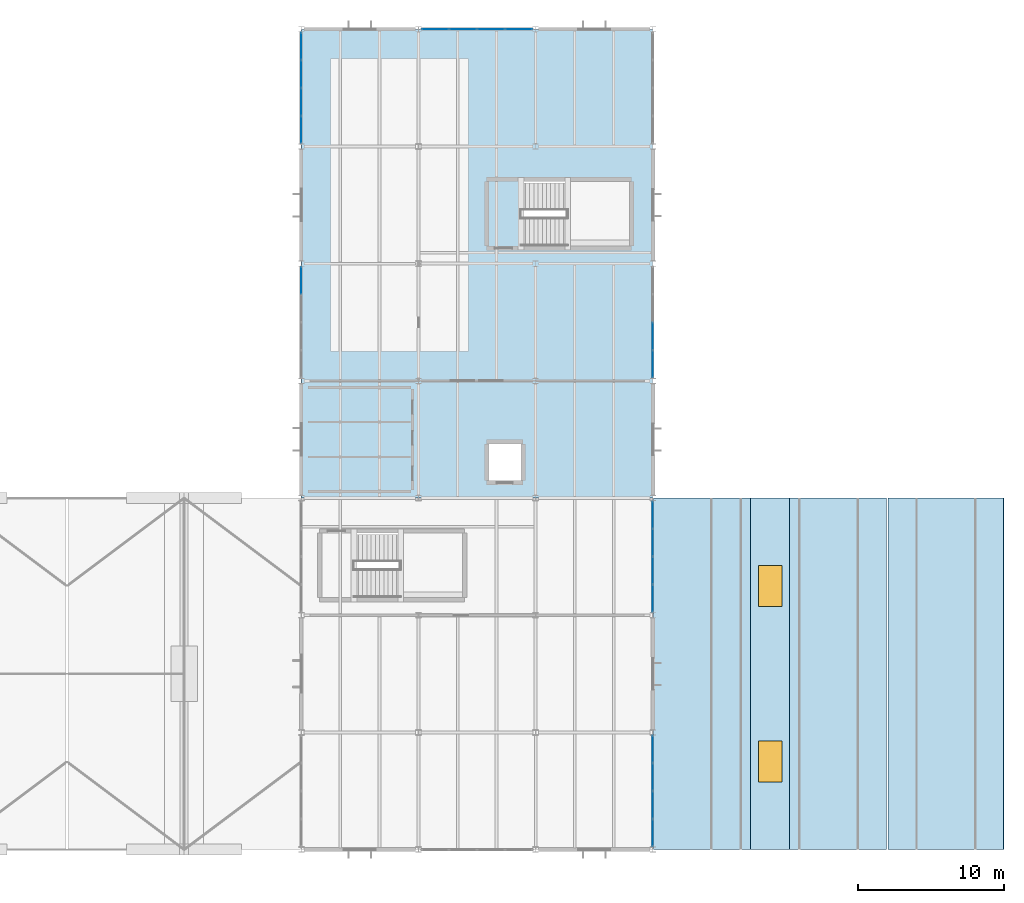
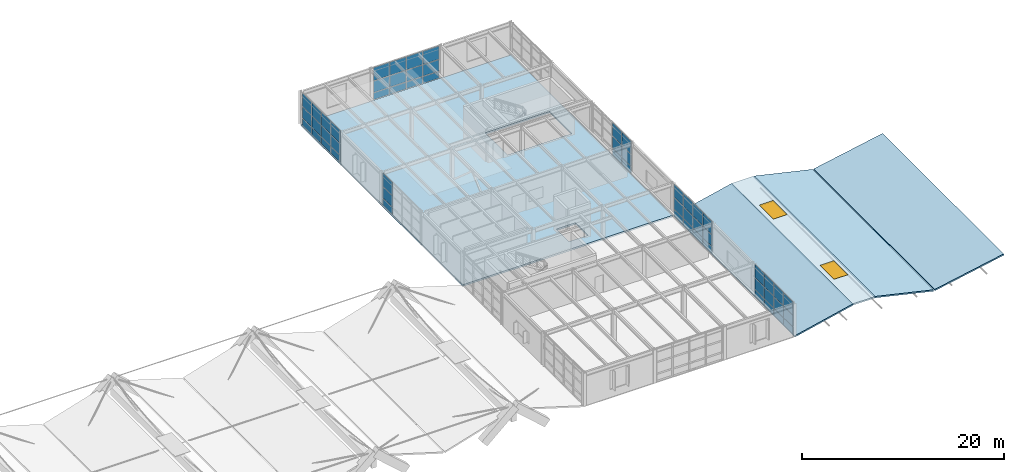
# One storey, part 35 of 50: 57 plates, 5 slabs, 2 windows, 2 openings, 6 elements without a shape of their own.
"""IFC4 building model written with IfcOpenShell, lengths in metres."""

import ifcopenshell
import ifcopenshell.guid

model = None  # the IFC model being written
_history = None  # IfcOwnerHistory: only IFC2X3 demands one
_inside = {}  # id of a spatial element -> (the spatial element, [elements in it])
_under = {}  # id of a project, library or spatial element -> (it, [spatial elements below it])
_declared = {}  # id of a project -> (the project, [libraries it declares])
_typed = {}  # id of a type object -> (the type object, [elements of that type])
_made_of = {}  # id of a material, layer set ... -> (it, [elements and type objects made of it])


def new_model(schema):
    """Start an empty IFC model of exactly this schema.

    Asked for "IFC4X3", IfcOpenShell would pick the latest addendum, in which some entities
    have other attributes; the version numbers below select the first issue.
    IFC2X3 requires an IfcOwnerHistory on every rooted entity: one is made here for all.
    """
    global model, _history
    if schema == "IFC4X3":
        model = ifcopenshell.file(schema_version=(4, 3, 0, 0))
    else:
        model = ifcopenshell.file(schema=schema)
    _inside.clear()
    _under.clear()
    _declared.clear()
    _typed.clear()
    _made_of.clear()
    _history = None
    if model.schema == "IFC2X3":
        org = make("IfcOrganization", Name="unknown")
        user = make(
            "IfcPersonAndOrganization",
            ThePerson=make("IfcPerson", FamilyName="unknown"),
            TheOrganization=org,
        )
        app = make(
            "IfcApplication",
            ApplicationDeveloper=org,
            Version="unknown",
            ApplicationFullName="unknown",
            ApplicationIdentifier="unknown",
        )
        _history = make(
            "IfcOwnerHistory",
            OwningUser=user,
            OwningApplication=app,
            ChangeAction="ADDED",
            CreationDate=0,
        )
    return model


def make(cls, **values):
    """One entity of the class cls with the attributes given. An attribute that is None is left unset."""
    return model.create_entity(
        cls, **{name: value for name, value in values.items() if value is not None}
    )


def rooted(cls, **values):
    """An entity with a GlobalId (a new one), such as an element, a storey or a relation."""
    return make(cls, GlobalId=ifcopenshell.guid.new(), OwnerHistory=_history, **values)


def si_unit(unit_type, name, prefix=None):
    """IfcSIUnit, for example si_unit("LENGTHUNIT", "METRE", prefix="MILLI")."""
    return make("IfcSIUnit", UnitType=unit_type, Prefix=prefix, Name=name)


def assignment(units):
    """IfcUnitAssignment: the units of a project."""
    return None if units is None else make("IfcUnitAssignment", Units=units)


def point(xyz):
    """IfcCartesianPoint."""
    return None if xyz is None else make("IfcCartesianPoint", Coordinates=xyz)


def direction(xyz):
    """IfcDirection."""
    return None if xyz is None else make("IfcDirection", DirectionRatios=xyz)


def frame(location, z_axis=None, x_axis=None):
    """IfcAxis2Placement3D, a coordinate frame: its origin and axes. An axis left out is left unset."""
    return make(
        "IfcAxis2Placement3D",
        Location=point(location),
        Axis=direction(z_axis),
        RefDirection=direction(x_axis),
    )


def frame_2d(location, x_axis=None):
    """IfcAxis2Placement2D, a coordinate frame in the plane: its origin and x axis."""
    return make(
        "IfcAxis2Placement2D", Location=point(location), RefDirection=direction(x_axis)
    )


def origin():
    """The frame at (0, 0, 0) with its axes left unset."""
    return frame((0.0, 0.0, 0.0))


def origin_2d():
    """The frame at (0, 0) in the plane with its x axis left unset."""
    return frame_2d((0.0, 0.0))


def place(relative_to, where):
    """IfcLocalPlacement: puts the frame where relative to a parent placement (None: the world)."""
    return make(
        "IfcLocalPlacement", PlacementRelTo=relative_to, RelativePlacement=where
    )


def context(
    kind, dimensions, precision=None, world=None, true_north=None, identifier=None
):
    """IfcGeometricRepresentationContext, for example the 3D "Model" context."""
    return make(
        "IfcGeometricRepresentationContext",
        ContextIdentifier=identifier,
        ContextType=kind,
        CoordinateSpaceDimension=dimensions,
        Precision=precision,
        WorldCoordinateSystem=world,
        TrueNorth=true_north,
    )


def subcontext(parent, identifier, kind, view, scale=None):
    """IfcGeometricRepresentationSubContext, for example "Body" below "Model"."""
    return make(
        "IfcGeometricRepresentationSubContext",
        ContextIdentifier=identifier,
        ContextType=kind,
        ParentContext=parent,
        TargetScale=scale,
        TargetView=view,
    )


def project(units=None, contexts=None):
    """IfcProject with its units and contexts."""
    return rooted(
        "IfcProject",
        Name="project",
        RepresentationContexts=contexts,
        UnitsInContext=assignment(units),
    )


def spatial(cls, under=None, at=None, **own):
    """A site, building, storey or space (cls), placed at a placement, below another one or the project."""
    s = rooted(cls, ObjectPlacement=at, **own)
    if under is not None:
        _under.setdefault(under.id(), (under, []))[1].append(s)
    return s


def polyline(points):
    """IfcPolyline through the points."""
    return make("IfcPolyline", Points=[point(p) for p in points])


def profile(cls, at=None, kind="AREA", **sizes):
    """A parametric profile (cls). Its sizes go by their IFC names, for example OverallWidth=200.0."""
    return make(cls, ProfileType=kind, Position=at, **sizes)


def rectangle(**sizes):
    """IfcRectangleProfileDef."""
    return profile("IfcRectangleProfileDef", **sizes)


def outline(outer, holes=None, kind="AREA"):
    """IfcArbitraryClosedProfileDef: a profile drawn as a closed curve; with holes, ...WithVoids."""
    if holes is None:
        return make("IfcArbitraryClosedProfileDef", ProfileType=kind, OuterCurve=outer)
    return make(
        "IfcArbitraryProfileDefWithVoids",
        ProfileType=kind,
        OuterCurve=outer,
        InnerCurves=holes,
    )


def extrude(swept, where, along, depth):
    """IfcExtrudedAreaSolid: the profile swept, set in the frame where, extruded along a direction by depth."""
    return make(
        "IfcExtrudedAreaSolid",
        SweptArea=swept,
        Position=where,
        ExtrudedDirection=direction(along),
        Depth=depth,
    )


def shape(context_of_items, identifier, shape_type, items):
    """IfcShapeRepresentation: the items that make up one representation, for example the "Body"."""
    return make(
        "IfcShapeRepresentation",
        ContextOfItems=context_of_items,
        RepresentationIdentifier=identifier,
        RepresentationType=shape_type,
        Items=items,
    )


def material(Name=None, Category=None):
    """IfcMaterial."""
    return make("IfcMaterial", Name=Name, Category=Category)


def layer(
    of_material, thickness, ventilated=None, Name=None, Category=None, Priority=None
):
    """IfcMaterialLayer: one layer of a wall or slab, of a material (None: an air gap)."""
    return make(
        "IfcMaterialLayer",
        Material=of_material,
        LayerThickness=thickness,
        IsVentilated=ventilated,
        Name=Name,
        Category=Category,
        Priority=Priority,
    )


def layer_set(layers, Name=None):
    """IfcMaterialLayerSet."""
    return make("IfcMaterialLayerSet", MaterialLayers=layers, LayerSetName=Name)


def made_of(thing, what):
    """Note that an element or type object is made of a material, layer set ...; save() writes the relation."""
    if what is not None:
        _made_of.setdefault(what.id(), (what, []))[1].append(thing)
    return thing


def type_object(cls, material=None, **own):
    """A type object (cls), such as IfcWallType, which elements share."""
    return made_of(rooted(cls, **own), material)


def element(
    cls,
    number,
    at=None,
    inside=None,
    cuts=None,
    type_object=None,
    material=None,
    context=None,
    identifier="Body",
    shape_type=None,
    held_by="IfcProductDefinitionShape",
    body=None,
    shapes=None,
    **own,
):
    """One element of the class cls, such as IfcWall. Its Tag is "e" and its number.

    at: its placement. inside: the storey or other place that contains it. cuts: it is an
    opening in that element (IfcRelVoidsElement). A single representation is given by context,
    identifier, shape_type and body (its items); several are given by shapes. held_by: the class
    of the entity that holds the representations. save() writes the other relations.
    """
    e = rooted(cls, Tag="e%d" % number, ObjectPlacement=at, **own)
    if body is not None:
        shapes = [shape(context, identifier, shape_type, body)]
    if shapes is not None:
        e.Representation = make(held_by, Representations=shapes)
    if inside is not None:
        _inside.setdefault(inside.id(), (inside, []))[1].append(e)
    if cuts is not None:
        rooted(
            "IfcRelVoidsElement", RelatingBuildingElement=cuts, RelatedOpeningElement=e
        )
    if type_object is not None:
        _typed.setdefault(type_object.id(), (type_object, []))[1].append(e)
    return made_of(e, material)


def fill(opening, filler):
    """IfcRelFillsElement: the door or window that sits in an opening."""
    return rooted(
        "IfcRelFillsElement",
        RelatingOpeningElement=opening,
        RelatedBuildingElement=filler,
    )


def aggregate(whole, parts):
    """IfcRelAggregates: a whole, such as a stair, and the parts it consists of."""
    return rooted("IfcRelAggregates", RelatingObject=whole, RelatedObjects=parts)


def save(model, path):
    """Write the relations noted so far, then the file.

    IfcRelAggregates (storeys below a building ...), IfcRelContainedInSpatialStructure (elements
    in a storey), IfcRelDefinesByType, IfcRelAssociatesMaterial and IfcRelDeclares: one each for
    every whole, place, type object, material and project.
    """
    for whole, parts in _under.values():
        aggregate(whole, parts)
    for where, things in _inside.values():
        rooted(
            "IfcRelContainedInSpatialStructure",
            RelatedElements=things,
            RelatingStructure=where,
        )
    for kind, things in _typed.values():
        rooted("IfcRelDefinesByType", RelatedObjects=things, RelatingType=kind)
    for what, things in _made_of.values():
        rooted("IfcRelAssociatesMaterial", RelatedObjects=things, RelatingMaterial=what)
    for by, libraries in _declared.values():
        rooted("IfcRelDeclares", RelatingContext=by, RelatedDefinitions=libraries)
    model.write(path)


model = new_model("IFC4")

# Units and contexts
model_context = context("Model", 3, precision=1e-05, world=origin(), true_north=direction((0.0, 1.0)))
body_context = subcontext(model_context, "Body", "Model", "MODEL_VIEW")
ifc_project = project(units=[si_unit("LENGTHUNIT", "METRE"), si_unit("AREAUNIT", "SQUARE_METRE"), si_unit("VOLUMEUNIT", "CUBIC_METRE"), si_unit("PLANEANGLEUNIT", "RADIAN"), si_unit("MASSUNIT", "GRAM", prefix="KILO")], contexts=[model_context])

# Site, building, storey
site_placement = place(None, origin())
site = spatial("IfcSite", under=ifc_project, at=site_placement, CompositionType="ELEMENT")
building_placement = place(site_placement, origin())
building = spatial("IfcBuilding", under=site, at=building_placement, Name="Varnela Railside Interchange", CompositionType="ELEMENT")
storey_placement = place(building_placement, frame((0.0, 0.0, 15.39990234375)))
storey = spatial("IfcBuildingStorey", under=building, at=storey_placement, Name="L03", CompositionType="ELEMENT", Elevation=15.39990234375)

# Slab
ifc_material_1 = material(Name="Concrete C40", Category="concrete")
ifc_layer_1 = layer(ifc_material_1, 0.199951171875)
ifc_layer_set_1 = layer_set([ifc_layer_1], Name="Concrete C40")
slab_type_1 = type_object("IfcSlabType", Name="Library & Canteen Composite Slab SL-200A", PredefinedType="FLOOR", material=ifc_layer_set_1)
slab_1_placement = place(storey_placement, frame((0.0, 0.0, -0.199951171875)))
element("IfcSlab", 1, at=slab_1_placement, inside=storey, type_object=slab_type_1, Name="Library & Canteen Composite Slab SL-200A (L03) (SL-0155)", PredefinedType="FLOOR", context=body_context, shape_type="SweptSolid", body=[
    extrude(outline(polyline([(116.0, 62.0), (140.0, 62.0), (140.0, 94.0), (116.0, 94.0), (116.0, 62.0)]), holes=[polyline([(131.030029296875, 79.199951171875), (138.39990234375, 79.199951171875), (138.39990234375, 83.60009765625), (131.030029296875, 83.60009765625), (131.030029296875, 79.199951171875)]), polyline([(128.800048828125, 63.199951171875), (131.0, 63.199951171875), (131.0, 65.699951171875), (128.800048828125, 65.699951171875), (128.800048828125, 63.199951171875)])]), origin(), (0.0, 0.0, 1.0), 0.199951171875),
])

# Curtain wall, plates
ifc_material_2 = material(Name="Aluminium 6063-T6", Category="aluminium")
ifc_layer_2 = layer(ifc_material_2, 0.035888671875)
ifc_layer_set_2 = layer_set([ifc_layer_2], Name="Aluminium 6063-T6")
curtain_wall_type = type_object("IfcCurtainWallType", Name="Study Pavilion Gallery Curtain Wall CW-02", PredefinedType="USERDEFINED", material=ifc_layer_set_2)
curtain_wall_1_placement = place(storey_placement, origin())
curtain_wall_1 = element("IfcCurtainWall", 2, at=curtain_wall_1_placement, inside=storey, type_object=curtain_wall_type, Name="Curtain Wall CW-02 (L03) (CW-091)", ObjectType="CURTAIN WALL", PredefinedType="USERDEFINED")
ifc_material_3 = material(Name="Glass laminated double", Category="glass")
ifc_layer_3 = layer(ifc_material_3, 0.02001953125)
ifc_layer_set_3 = layer_set([ifc_layer_3], Name="Glass laminated double")
plate_type = type_object("IfcPlateType", Name="Low-E Vision Glazing Panel GL-01", PredefinedType="CURTAIN_PANEL", material=ifc_layer_set_3)
plate_1_placement = place(storey_placement, frame((116.0, 76.846923828125, 0.06005859375), z_axis=(0.0, 0.0, 1.0), x_axis=(0.0, 1.0, 0.0)))
plate_1 = element("IfcPlate", 3, at=plate_1_placement, type_object=plate_type, Name="CW-02 panel 4.1", PredefinedType="CURTAIN_PANEL", context=body_context, shape_type="SweptSolid", body=[
    extrude(rectangle(XDim=1.818115234375, YDim=0.02001953125, at=origin_2d()), origin(), (0.0, 0.0, 1.0), 0.81005859375),
])
plate_2_placement = place(storey_placement, frame((116.0, 76.846923828125, 0.93017578125), z_axis=(0.0, 0.0, 1.0), x_axis=(0.0, 1.0, 0.0)))
plate_2 = element("IfcPlate", 4, at=plate_2_placement, type_object=plate_type, Name="CW-02 panel 4.2", PredefinedType="CURTAIN_PANEL", context=body_context, shape_type="SweptSolid", body=[
    extrude(rectangle(XDim=1.818115234375, YDim=0.02001953125, at=origin_2d()), origin(), (0.0, 0.0, 1.0), 1.360107421875),
])
plate_3_placement = place(storey_placement, frame((116.0, 76.846923828125, 2.35009765625), z_axis=(0.0, 0.0, 1.0), x_axis=(0.0, 1.0, 0.0)))
plate_3 = element("IfcPlate", 5, at=plate_3_placement, type_object=plate_type, Name="CW-02 panel 4.3", PredefinedType="CURTAIN_PANEL", context=body_context, shape_type="SweptSolid", body=[
    extrude(rectangle(XDim=1.818115234375, YDim=0.02001953125, at=origin_2d()), origin(), (0.0, 0.0, 1.0), 1.590087890625),
])
aggregate(curtain_wall_1, [plate_1, plate_2, plate_3])

curtain_wall_2_placement = place(storey_placement, origin())
curtain_wall_2 = element("IfcCurtainWall", 6, at=curtain_wall_2_placement, inside=storey, type_object=curtain_wall_type, Name="Curtain Wall CW-02 (L03) (CW-092)", ObjectType="CURTAIN WALL", PredefinedType="USERDEFINED")
plate_4_placement = place(storey_placement, frame((116.0, 87.153076171875, 0.06005859375), z_axis=(0.0, 0.0, 1.0), x_axis=(0.0, 1.0, 0.0)))
plate_4 = element("IfcPlate", 7, at=plate_4_placement, type_object=plate_type, Name="CW-02 panel 1.1", PredefinedType="CURTAIN_PANEL", context=body_context, shape_type="SweptSolid", body=[
    extrude(rectangle(XDim=1.818115234375, YDim=0.02001953125, at=origin_2d()), origin(), (0.0, 0.0, 1.0), 0.81005859375),
])
plate_5_placement = place(storey_placement, frame((116.0, 87.153076171875, 0.93017578125), z_axis=(0.0, 0.0, 1.0), x_axis=(0.0, 1.0, 0.0)))
plate_5 = element("IfcPlate", 8, at=plate_5_placement, type_object=plate_type, Name="CW-02 panel 1.2", PredefinedType="CURTAIN_PANEL", context=body_context, shape_type="SweptSolid", body=[
    extrude(rectangle(XDim=1.818115234375, YDim=0.02001953125, at=origin_2d()), origin(), (0.0, 0.0, 1.0), 1.360107421875),
])
plate_6_placement = place(storey_placement, frame((116.0, 87.153076171875, 2.35009765625), z_axis=(0.0, 0.0, 1.0), x_axis=(0.0, 1.0, 0.0)))
plate_6 = element("IfcPlate", 9, at=plate_6_placement, type_object=plate_type, Name="CW-02 panel 1.3", PredefinedType="CURTAIN_PANEL", context=body_context, shape_type="SweptSolid", body=[
    extrude(rectangle(XDim=1.818115234375, YDim=0.02001953125, at=origin_2d()), origin(), (0.0, 0.0, 1.0), 1.590087890625),
])
plate_7_placement = place(storey_placement, frame((116.0, 89.0458984375, 0.06005859375), z_axis=(0.0, 0.0, 1.0), x_axis=(0.0, 1.0, 0.0)))
plate_7 = element("IfcPlate", 10, at=plate_7_placement, type_object=plate_type, Name="CW-02 panel 2.1", PredefinedType="CURTAIN_PANEL", context=body_context, shape_type="SweptSolid", body=[
    extrude(rectangle(XDim=1.847900390625, YDim=0.02001953125, at=origin_2d()), origin(), (0.0, 0.0, 1.0), 0.81005859375),
])
plate_8_placement = place(storey_placement, frame((116.0, 89.0458984375, 0.93017578125), z_axis=(0.0, 0.0, 1.0), x_axis=(0.0, 1.0, 0.0)))
plate_8 = element("IfcPlate", 11, at=plate_8_placement, type_object=plate_type, Name="CW-02 panel 2.2", PredefinedType="CURTAIN_PANEL", context=body_context, shape_type="SweptSolid", body=[
    extrude(rectangle(XDim=1.847900390625, YDim=0.02001953125, at=origin_2d()), origin(), (0.0, 0.0, 1.0), 1.360107421875),
])
plate_9_placement = place(storey_placement, frame((116.0, 89.0458984375, 2.35009765625), z_axis=(0.0, 0.0, 1.0), x_axis=(0.0, 1.0, 0.0)))
plate_9 = element("IfcPlate", 12, at=plate_9_placement, type_object=plate_type, Name="CW-02 panel 2.3", PredefinedType="CURTAIN_PANEL", context=body_context, shape_type="SweptSolid", body=[
    extrude(rectangle(XDim=1.847900390625, YDim=0.02001953125, at=origin_2d()), origin(), (0.0, 0.0, 1.0), 1.590087890625),
])
plate_10_placement = place(storey_placement, frame((116.0, 90.9541015625, 0.06005859375), z_axis=(0.0, 0.0, 1.0), x_axis=(0.0, 1.0, 0.0)))
plate_10 = element("IfcPlate", 13, at=plate_10_placement, type_object=plate_type, Name="CW-02 panel 3.1", PredefinedType="CURTAIN_PANEL", context=body_context, shape_type="SweptSolid", body=[
    extrude(rectangle(XDim=1.847900390625, YDim=0.02001953125, at=origin_2d()), origin(), (0.0, 0.0, 1.0), 0.81005859375),
])
plate_11_placement = place(storey_placement, frame((116.0, 90.9541015625, 0.93017578125), z_axis=(0.0, 0.0, 1.0), x_axis=(0.0, 1.0, 0.0)))
plate_11 = element("IfcPlate", 14, at=plate_11_placement, type_object=plate_type, Name="CW-02 panel 3.2", PredefinedType="CURTAIN_PANEL", context=body_context, shape_type="SweptSolid", body=[
    extrude(rectangle(XDim=1.847900390625, YDim=0.02001953125, at=origin_2d()), origin(), (0.0, 0.0, 1.0), 1.360107421875),
])
plate_12_placement = place(storey_placement, frame((116.0, 90.9541015625, 2.35009765625), z_axis=(0.0, 0.0, 1.0), x_axis=(0.0, 1.0, 0.0)))
plate_12 = element("IfcPlate", 15, at=plate_12_placement, type_object=plate_type, Name="CW-02 panel 3.3", PredefinedType="CURTAIN_PANEL", context=body_context, shape_type="SweptSolid", body=[
    extrude(rectangle(XDim=1.847900390625, YDim=0.02001953125, at=origin_2d()), origin(), (0.0, 0.0, 1.0), 1.590087890625),
])
plate_13_placement = place(storey_placement, frame((116.0, 92.846923828125, 0.06005859375), z_axis=(0.0, 0.0, 1.0), x_axis=(0.0, 1.0, 0.0)))
plate_13 = element("IfcPlate", 16, at=plate_13_placement, type_object=plate_type, Name="CW-02 panel 4.1", PredefinedType="CURTAIN_PANEL", context=body_context, shape_type="SweptSolid", body=[
    extrude(rectangle(XDim=1.818115234375, YDim=0.02001953125, at=origin_2d()), origin(), (0.0, 0.0, 1.0), 0.81005859375),
])
plate_14_placement = place(storey_placement, frame((116.0, 92.846923828125, 0.93017578125), z_axis=(0.0, 0.0, 1.0), x_axis=(0.0, 1.0, 0.0)))
plate_14 = element("IfcPlate", 17, at=plate_14_placement, type_object=plate_type, Name="CW-02 panel 4.2", PredefinedType="CURTAIN_PANEL", context=body_context, shape_type="SweptSolid", body=[
    extrude(rectangle(XDim=1.818115234375, YDim=0.02001953125, at=origin_2d()), origin(), (0.0, 0.0, 1.0), 1.360107421875),
])
plate_15_placement = place(storey_placement, frame((116.0, 92.846923828125, 2.35009765625), z_axis=(0.0, 0.0, 1.0), x_axis=(0.0, 1.0, 0.0)))
plate_15 = element("IfcPlate", 18, at=plate_15_placement, type_object=plate_type, Name="CW-02 panel 4.3", PredefinedType="CURTAIN_PANEL", context=body_context, shape_type="SweptSolid", body=[
    extrude(rectangle(XDim=1.818115234375, YDim=0.02001953125, at=origin_2d()), origin(), (0.0, 0.0, 1.0), 1.590087890625),
])
aggregate(curtain_wall_2, [plate_4, plate_5, plate_6, plate_7, plate_8, plate_9, plate_10, plate_11, plate_12, plate_13, plate_14, plate_15])

curtain_wall_3_placement = place(storey_placement, origin())
curtain_wall_3 = element("IfcCurtainWall", 19, at=curtain_wall_3_placement, inside=storey, type_object=curtain_wall_type, Name="Curtain Wall CW-02 (L03) (CW-093)", ObjectType="CURTAIN WALL", PredefinedType="USERDEFINED")
plate_16_placement = place(storey_placement, frame((125.15478515625, 94.0, 0.06005859375), z_axis=(0.0, 0.0, 1.0), x_axis=(1.0, 0.0, 0.0)))
plate_16 = element("IfcPlate", 20, at=plate_16_placement, type_object=plate_type, Name="CW-02 panel 1.1", PredefinedType="CURTAIN_PANEL", context=body_context, shape_type="SweptSolid", body=[
    extrude(rectangle(XDim=1.816650390625, YDim=0.02001953125, at=origin_2d()), origin(), (0.0, 0.0, 1.0), 0.81005859375),
])
plate_17_placement = place(storey_placement, frame((125.15478515625, 94.0, 0.93017578125), z_axis=(0.0, 0.0, 1.0), x_axis=(1.0, 0.0, 0.0)))
plate_17 = element("IfcPlate", 21, at=plate_17_placement, type_object=plate_type, Name="CW-02 panel 1.2", PredefinedType="CURTAIN_PANEL", context=body_context, shape_type="SweptSolid", body=[
    extrude(rectangle(XDim=1.816650390625, YDim=0.02001953125, at=origin_2d()), origin(), (0.0, 0.0, 1.0), 1.360107421875),
])
plate_18_placement = place(storey_placement, frame((125.15478515625, 94.0, 2.35009765625), z_axis=(0.0, 0.0, 1.0), x_axis=(1.0, 0.0, 0.0)))
plate_18 = element("IfcPlate", 22, at=plate_18_placement, type_object=plate_type, Name="CW-02 panel 1.3", PredefinedType="CURTAIN_PANEL", context=body_context, shape_type="SweptSolid", body=[
    extrude(rectangle(XDim=1.816650390625, YDim=0.02001953125, at=origin_2d()), origin(), (0.0, 0.0, 1.0), 1.590087890625),
])
plate_19_placement = place(storey_placement, frame((127.046630859375, 94.0, 0.06005859375), z_axis=(0.0, 0.0, 1.0), x_axis=(1.0, 0.0, 0.0)))
plate_19 = element("IfcPlate", 23, at=plate_19_placement, type_object=plate_type, Name="CW-02 panel 2.1", PredefinedType="CURTAIN_PANEL", context=body_context, shape_type="SweptSolid", body=[
    extrude(rectangle(XDim=1.8466796875, YDim=0.02001953125, at=origin_2d()), origin(), (0.0, 0.0, 1.0), 0.81005859375),
])
plate_20_placement = place(storey_placement, frame((127.046630859375, 94.0, 0.93017578125), z_axis=(0.0, 0.0, 1.0), x_axis=(1.0, 0.0, 0.0)))
plate_20 = element("IfcPlate", 24, at=plate_20_placement, type_object=plate_type, Name="CW-02 panel 2.2", PredefinedType="CURTAIN_PANEL", context=body_context, shape_type="SweptSolid", body=[
    extrude(rectangle(XDim=1.8466796875, YDim=0.02001953125, at=origin_2d()), origin(), (0.0, 0.0, 1.0), 1.360107421875),
])
plate_21_placement = place(storey_placement, frame((127.046630859375, 94.0, 2.35009765625), z_axis=(0.0, 0.0, 1.0), x_axis=(1.0, 0.0, 0.0)))
plate_21 = element("IfcPlate", 25, at=plate_21_placement, type_object=plate_type, Name="CW-02 panel 2.3", PredefinedType="CURTAIN_PANEL", context=body_context, shape_type="SweptSolid", body=[
    extrude(rectangle(XDim=1.8466796875, YDim=0.02001953125, at=origin_2d()), origin(), (0.0, 0.0, 1.0), 1.590087890625),
])
plate_22_placement = place(storey_placement, frame((128.953369140625, 94.0, 0.06005859375), z_axis=(0.0, 0.0, 1.0), x_axis=(1.0, 0.0, 0.0)))
plate_22 = element("IfcPlate", 26, at=plate_22_placement, type_object=plate_type, Name="CW-02 panel 3.1", PredefinedType="CURTAIN_PANEL", context=body_context, shape_type="SweptSolid", body=[
    extrude(rectangle(XDim=1.8466796875, YDim=0.02001953125, at=origin_2d()), origin(), (0.0, 0.0, 1.0), 0.81005859375),
])
plate_23_placement = place(storey_placement, frame((128.953369140625, 94.0, 0.93017578125), z_axis=(0.0, 0.0, 1.0), x_axis=(1.0, 0.0, 0.0)))
plate_23 = element("IfcPlate", 27, at=plate_23_placement, type_object=plate_type, Name="CW-02 panel 3.2", PredefinedType="CURTAIN_PANEL", context=body_context, shape_type="SweptSolid", body=[
    extrude(rectangle(XDim=1.8466796875, YDim=0.02001953125, at=origin_2d()), origin(), (0.0, 0.0, 1.0), 1.360107421875),
])
plate_24_placement = place(storey_placement, frame((128.953369140625, 94.0, 2.35009765625), z_axis=(0.0, 0.0, 1.0), x_axis=(1.0, 0.0, 0.0)))
plate_24 = element("IfcPlate", 28, at=plate_24_placement, type_object=plate_type, Name="CW-02 panel 3.3", PredefinedType="CURTAIN_PANEL", context=body_context, shape_type="SweptSolid", body=[
    extrude(rectangle(XDim=1.8466796875, YDim=0.02001953125, at=origin_2d()), origin(), (0.0, 0.0, 1.0), 1.590087890625),
])
plate_25_placement = place(storey_placement, frame((130.84521484375, 94.0, 0.06005859375), z_axis=(0.0, 0.0, 1.0), x_axis=(1.0, 0.0, 0.0)))
plate_25 = element("IfcPlate", 29, at=plate_25_placement, type_object=plate_type, Name="CW-02 panel 4.1", PredefinedType="CURTAIN_PANEL", context=body_context, shape_type="SweptSolid", body=[
    extrude(rectangle(XDim=1.816650390625, YDim=0.02001953125, at=origin_2d()), origin(), (0.0, 0.0, 1.0), 0.81005859375),
])
plate_26_placement = place(storey_placement, frame((130.84521484375, 94.0, 0.93017578125), z_axis=(0.0, 0.0, 1.0), x_axis=(1.0, 0.0, 0.0)))
plate_26 = element("IfcPlate", 30, at=plate_26_placement, type_object=plate_type, Name="CW-02 panel 4.2", PredefinedType="CURTAIN_PANEL", context=body_context, shape_type="SweptSolid", body=[
    extrude(rectangle(XDim=1.816650390625, YDim=0.02001953125, at=origin_2d()), origin(), (0.0, 0.0, 1.0), 1.360107421875),
])
plate_27_placement = place(storey_placement, frame((130.84521484375, 94.0, 2.35009765625), z_axis=(0.0, 0.0, 1.0), x_axis=(1.0, 0.0, 0.0)))
plate_27 = element("IfcPlate", 31, at=plate_27_placement, type_object=plate_type, Name="CW-02 panel 4.3", PredefinedType="CURTAIN_PANEL", context=body_context, shape_type="SweptSolid", body=[
    extrude(rectangle(XDim=1.816650390625, YDim=0.02001953125, at=origin_2d()), origin(), (0.0, 0.0, 1.0), 1.590087890625),
])
aggregate(curtain_wall_3, [plate_16, plate_17, plate_18, plate_19, plate_20, plate_21, plate_22, plate_23, plate_24, plate_25, plate_26, plate_27])

curtain_wall_4_placement = place(storey_placement, origin())
curtain_wall_4 = element("IfcCurtainWall", 32, at=curtain_wall_4_placement, inside=storey, type_object=curtain_wall_type, Name="Curtain Wall CW-02 (L03) (CW-096)", ObjectType="CURTAIN WALL", PredefinedType="USERDEFINED")
plate_28_placement = place(storey_placement, frame((140.0, 73.0458984375, 0.06005859375), z_axis=(0.0, 0.0, 1.0), x_axis=(0.0, -1.0, 0.0)))
plate_28 = element("IfcPlate", 33, at=plate_28_placement, type_object=plate_type, Name="CW-02 panel 3.1", PredefinedType="CURTAIN_PANEL", context=body_context, shape_type="SweptSolid", body=[
    extrude(rectangle(XDim=1.847900390625, YDim=0.02001953125, at=origin_2d()), origin(), (0.0, 0.0, 1.0), 0.81005859375),
])
plate_29_placement = place(storey_placement, frame((140.0, 73.0458984375, 0.93017578125), z_axis=(0.0, 0.0, 1.0), x_axis=(0.0, -1.0, 0.0)))
plate_29 = element("IfcPlate", 34, at=plate_29_placement, type_object=plate_type, Name="CW-02 panel 3.2", PredefinedType="CURTAIN_PANEL", context=body_context, shape_type="SweptSolid", body=[
    extrude(rectangle(XDim=1.847900390625, YDim=0.02001953125, at=origin_2d()), origin(), (0.0, 0.0, 1.0), 1.360107421875),
])
plate_30_placement = place(storey_placement, frame((140.0, 73.0458984375, 2.35009765625), z_axis=(0.0, 0.0, 1.0), x_axis=(0.0, -1.0, 0.0)))
plate_30 = element("IfcPlate", 35, at=plate_30_placement, type_object=plate_type, Name="CW-02 panel 3.3", PredefinedType="CURTAIN_PANEL", context=body_context, shape_type="SweptSolid", body=[
    extrude(rectangle(XDim=1.847900390625, YDim=0.02001953125, at=origin_2d()), origin(), (0.0, 0.0, 1.0), 1.590087890625),
])
plate_31_placement = place(storey_placement, frame((140.0, 71.153076171875, 0.06005859375), z_axis=(0.0, 0.0, 1.0), x_axis=(0.0, -1.0, 0.0)))
plate_31 = element("IfcPlate", 36, at=plate_31_placement, type_object=plate_type, Name="CW-02 panel 4.1", PredefinedType="CURTAIN_PANEL", context=body_context, shape_type="SweptSolid", body=[
    extrude(rectangle(XDim=1.818115234375, YDim=0.02001953125, at=origin_2d()), origin(), (0.0, 0.0, 1.0), 0.81005859375),
])
plate_32_placement = place(storey_placement, frame((140.0, 71.153076171875, 0.93017578125), z_axis=(0.0, 0.0, 1.0), x_axis=(0.0, -1.0, 0.0)))
plate_32 = element("IfcPlate", 37, at=plate_32_placement, type_object=plate_type, Name="CW-02 panel 4.2", PredefinedType="CURTAIN_PANEL", context=body_context, shape_type="SweptSolid", body=[
    extrude(rectangle(XDim=1.818115234375, YDim=0.02001953125, at=origin_2d()), origin(), (0.0, 0.0, 1.0), 1.360107421875),
])
plate_33_placement = place(storey_placement, frame((140.0, 71.153076171875, 2.35009765625), z_axis=(0.0, 0.0, 1.0), x_axis=(0.0, -1.0, 0.0)))
plate_33 = element("IfcPlate", 38, at=plate_33_placement, type_object=plate_type, Name="CW-02 panel 4.3", PredefinedType="CURTAIN_PANEL", context=body_context, shape_type="SweptSolid", body=[
    extrude(rectangle(XDim=1.818115234375, YDim=0.02001953125, at=origin_2d()), origin(), (0.0, 0.0, 1.0), 1.590087890625),
])
aggregate(curtain_wall_4, [plate_28, plate_29, plate_30, plate_31, plate_32, plate_33])

curtain_wall_5_placement = place(storey_placement, origin())
curtain_wall_5 = element("IfcCurtainWall", 39, at=curtain_wall_5_placement, inside=storey, type_object=curtain_wall_type, Name="Curtain Wall CW-02 (L03) (CW-097)", ObjectType="CURTAIN WALL", PredefinedType="USERDEFINED")
plate_34_placement = place(storey_placement, frame((140.0, 60.846923828125, 0.06005859375), z_axis=(0.0, 0.0, 1.0), x_axis=(0.0, -1.0, 0.0)))
plate_34 = element("IfcPlate", 40, at=plate_34_placement, type_object=plate_type, Name="CW-02 panel 1.1", PredefinedType="CURTAIN_PANEL", context=body_context, shape_type="SweptSolid", body=[
    extrude(rectangle(XDim=1.818115234375, YDim=0.02001953125, at=origin_2d()), origin(), (0.0, 0.0, 1.0), 0.81005859375),
])
plate_35_placement = place(storey_placement, frame((140.0, 60.846923828125, 0.93017578125), z_axis=(0.0, 0.0, 1.0), x_axis=(0.0, -1.0, 0.0)))
plate_35 = element("IfcPlate", 41, at=plate_35_placement, type_object=plate_type, Name="CW-02 panel 1.2", PredefinedType="CURTAIN_PANEL", context=body_context, shape_type="SweptSolid", body=[
    extrude(rectangle(XDim=1.818115234375, YDim=0.02001953125, at=origin_2d()), origin(), (0.0, 0.0, 1.0), 1.360107421875),
])
plate_36_placement = place(storey_placement, frame((140.0, 60.846923828125, 2.35009765625), z_axis=(0.0, 0.0, 1.0), x_axis=(0.0, -1.0, 0.0)))
plate_36 = element("IfcPlate", 42, at=plate_36_placement, type_object=plate_type, Name="CW-02 panel 1.3", PredefinedType="CURTAIN_PANEL", context=body_context, shape_type="SweptSolid", body=[
    extrude(rectangle(XDim=1.818115234375, YDim=0.02001953125, at=origin_2d()), origin(), (0.0, 0.0, 1.0), 1.590087890625),
])
plate_37_placement = place(storey_placement, frame((140.0, 58.9541015625, 0.06005859375), z_axis=(0.0, 0.0, 1.0), x_axis=(0.0, -1.0, 0.0)))
plate_37 = element("IfcPlate", 43, at=plate_37_placement, type_object=plate_type, Name="CW-02 panel 2.1", PredefinedType="CURTAIN_PANEL", context=body_context, shape_type="SweptSolid", body=[
    extrude(rectangle(XDim=1.847900390625, YDim=0.02001953125, at=origin_2d()), origin(), (0.0, 0.0, 1.0), 0.81005859375),
])
plate_38_placement = place(storey_placement, frame((140.0, 58.9541015625, 0.93017578125), z_axis=(0.0, 0.0, 1.0), x_axis=(0.0, -1.0, 0.0)))
plate_38 = element("IfcPlate", 44, at=plate_38_placement, type_object=plate_type, Name="CW-02 panel 2.2", PredefinedType="CURTAIN_PANEL", context=body_context, shape_type="SweptSolid", body=[
    extrude(rectangle(XDim=1.847900390625, YDim=0.02001953125, at=origin_2d()), origin(), (0.0, 0.0, 1.0), 1.360107421875),
])
plate_39_placement = place(storey_placement, frame((140.0, 58.9541015625, 2.35009765625), z_axis=(0.0, 0.0, 1.0), x_axis=(0.0, -1.0, 0.0)))
plate_39 = element("IfcPlate", 45, at=plate_39_placement, type_object=plate_type, Name="CW-02 panel 2.3", PredefinedType="CURTAIN_PANEL", context=body_context, shape_type="SweptSolid", body=[
    extrude(rectangle(XDim=1.847900390625, YDim=0.02001953125, at=origin_2d()), origin(), (0.0, 0.0, 1.0), 1.590087890625),
])
plate_40_placement = place(storey_placement, frame((140.0, 57.0458984375, 0.06005859375), z_axis=(0.0, 0.0, 1.0), x_axis=(0.0, -1.0, 0.0)))
plate_40 = element("IfcPlate", 46, at=plate_40_placement, type_object=plate_type, Name="CW-02 panel 3.1", PredefinedType="CURTAIN_PANEL", context=body_context, shape_type="SweptSolid", body=[
    extrude(rectangle(XDim=1.847900390625, YDim=0.02001953125, at=origin_2d()), origin(), (0.0, 0.0, 1.0), 0.81005859375),
])
plate_41_placement = place(storey_placement, frame((140.0, 57.0458984375, 0.93017578125), z_axis=(0.0, 0.0, 1.0), x_axis=(0.0, -1.0, 0.0)))
plate_41 = element("IfcPlate", 47, at=plate_41_placement, type_object=plate_type, Name="CW-02 panel 3.2", PredefinedType="CURTAIN_PANEL", context=body_context, shape_type="SweptSolid", body=[
    extrude(rectangle(XDim=1.847900390625, YDim=0.02001953125, at=origin_2d()), origin(), (0.0, 0.0, 1.0), 1.360107421875),
])
plate_42_placement = place(storey_placement, frame((140.0, 57.0458984375, 2.35009765625), z_axis=(0.0, 0.0, 1.0), x_axis=(0.0, -1.0, 0.0)))
plate_42 = element("IfcPlate", 48, at=plate_42_placement, type_object=plate_type, Name="CW-02 panel 3.3", PredefinedType="CURTAIN_PANEL", context=body_context, shape_type="SweptSolid", body=[
    extrude(rectangle(XDim=1.847900390625, YDim=0.02001953125, at=origin_2d()), origin(), (0.0, 0.0, 1.0), 1.590087890625),
])
plate_43_placement = place(storey_placement, frame((140.0, 55.153076171875, 0.06005859375), z_axis=(0.0, 0.0, 1.0), x_axis=(0.0, -1.0, 0.0)))
plate_43 = element("IfcPlate", 49, at=plate_43_placement, type_object=plate_type, Name="CW-02 panel 4.1", PredefinedType="CURTAIN_PANEL", context=body_context, shape_type="SweptSolid", body=[
    extrude(rectangle(XDim=1.818115234375, YDim=0.02001953125, at=origin_2d()), origin(), (0.0, 0.0, 1.0), 0.81005859375),
])
plate_44_placement = place(storey_placement, frame((140.0, 55.153076171875, 0.93017578125), z_axis=(0.0, 0.0, 1.0), x_axis=(0.0, -1.0, 0.0)))
plate_44 = element("IfcPlate", 50, at=plate_44_placement, type_object=plate_type, Name="CW-02 panel 4.2", PredefinedType="CURTAIN_PANEL", context=body_context, shape_type="SweptSolid", body=[
    extrude(rectangle(XDim=1.818115234375, YDim=0.02001953125, at=origin_2d()), origin(), (0.0, 0.0, 1.0), 1.360107421875),
])
plate_45_placement = place(storey_placement, frame((140.0, 55.153076171875, 2.35009765625), z_axis=(0.0, 0.0, 1.0), x_axis=(0.0, -1.0, 0.0)))
plate_45 = element("IfcPlate", 51, at=plate_45_placement, type_object=plate_type, Name="CW-02 panel 4.3", PredefinedType="CURTAIN_PANEL", context=body_context, shape_type="SweptSolid", body=[
    extrude(rectangle(XDim=1.818115234375, YDim=0.02001953125, at=origin_2d()), origin(), (0.0, 0.0, 1.0), 1.590087890625),
])
aggregate(curtain_wall_5, [plate_34, plate_35, plate_36, plate_37, plate_38, plate_39, plate_40, plate_41, plate_42, plate_43, plate_44, plate_45])

curtain_wall_6_placement = place(storey_placement, origin())
curtain_wall_6 = element("IfcCurtainWall", 52, at=curtain_wall_6_placement, inside=storey, type_object=curtain_wall_type, Name="Curtain Wall CW-02 (L03) (CW-098)", ObjectType="CURTAIN WALL", PredefinedType="USERDEFINED")
plate_46_placement = place(storey_placement, frame((140.0, 44.846923828125, 0.06005859375), z_axis=(0.0, 0.0, 1.0), x_axis=(0.0, -1.0, 0.0)))
plate_46 = element("IfcPlate", 53, at=plate_46_placement, type_object=plate_type, Name="CW-02 panel 1.1", PredefinedType="CURTAIN_PANEL", context=body_context, shape_type="SweptSolid", body=[
    extrude(rectangle(XDim=1.818115234375, YDim=0.02001953125, at=origin_2d()), origin(), (0.0, 0.0, 1.0), 0.81005859375),
])
plate_47_placement = place(storey_placement, frame((140.0, 44.846923828125, 0.93017578125), z_axis=(0.0, 0.0, 1.0), x_axis=(0.0, -1.0, 0.0)))
plate_47 = element("IfcPlate", 54, at=plate_47_placement, type_object=plate_type, Name="CW-02 panel 1.2", PredefinedType="CURTAIN_PANEL", context=body_context, shape_type="SweptSolid", body=[
    extrude(rectangle(XDim=1.818115234375, YDim=0.02001953125, at=origin_2d()), origin(), (0.0, 0.0, 1.0), 1.360107421875),
])
plate_48_placement = place(storey_placement, frame((140.0, 44.846923828125, 2.35009765625), z_axis=(0.0, 0.0, 1.0), x_axis=(0.0, -1.0, 0.0)))
plate_48 = element("IfcPlate", 55, at=plate_48_placement, type_object=plate_type, Name="CW-02 panel 1.3", PredefinedType="CURTAIN_PANEL", context=body_context, shape_type="SweptSolid", body=[
    extrude(rectangle(XDim=1.818115234375, YDim=0.02001953125, at=origin_2d()), origin(), (0.0, 0.0, 1.0), 1.590087890625),
])
plate_49_placement = place(storey_placement, frame((140.0, 42.9541015625, 0.06005859375), z_axis=(0.0, 0.0, 1.0), x_axis=(0.0, -1.0, 0.0)))
plate_49 = element("IfcPlate", 56, at=plate_49_placement, type_object=plate_type, Name="CW-02 panel 2.1", PredefinedType="CURTAIN_PANEL", context=body_context, shape_type="SweptSolid", body=[
    extrude(rectangle(XDim=1.847900390625, YDim=0.02001953125, at=origin_2d()), origin(), (0.0, 0.0, 1.0), 0.81005859375),
])
plate_50_placement = place(storey_placement, frame((140.0, 42.9541015625, 0.93017578125), z_axis=(0.0, 0.0, 1.0), x_axis=(0.0, -1.0, 0.0)))
plate_50 = element("IfcPlate", 57, at=plate_50_placement, type_object=plate_type, Name="CW-02 panel 2.2", PredefinedType="CURTAIN_PANEL", context=body_context, shape_type="SweptSolid", body=[
    extrude(rectangle(XDim=1.847900390625, YDim=0.02001953125, at=origin_2d()), origin(), (0.0, 0.0, 1.0), 1.360107421875),
])
plate_51_placement = place(storey_placement, frame((140.0, 42.9541015625, 2.35009765625), z_axis=(0.0, 0.0, 1.0), x_axis=(0.0, -1.0, 0.0)))
plate_51 = element("IfcPlate", 58, at=plate_51_placement, type_object=plate_type, Name="CW-02 panel 2.3", PredefinedType="CURTAIN_PANEL", context=body_context, shape_type="SweptSolid", body=[
    extrude(rectangle(XDim=1.847900390625, YDim=0.02001953125, at=origin_2d()), origin(), (0.0, 0.0, 1.0), 1.590087890625),
])
plate_52_placement = place(storey_placement, frame((140.0, 41.0458984375, 0.06005859375), z_axis=(0.0, 0.0, 1.0), x_axis=(0.0, -1.0, 0.0)))
plate_52 = element("IfcPlate", 59, at=plate_52_placement, type_object=plate_type, Name="CW-02 panel 3.1", PredefinedType="CURTAIN_PANEL", context=body_context, shape_type="SweptSolid", body=[
    extrude(rectangle(XDim=1.847900390625, YDim=0.02001953125, at=origin_2d()), origin(), (0.0, 0.0, 1.0), 0.81005859375),
])
plate_53_placement = place(storey_placement, frame((140.0, 41.0458984375, 0.93017578125), z_axis=(0.0, 0.0, 1.0), x_axis=(0.0, -1.0, 0.0)))
plate_53 = element("IfcPlate", 60, at=plate_53_placement, type_object=plate_type, Name="CW-02 panel 3.2", PredefinedType="CURTAIN_PANEL", context=body_context, shape_type="SweptSolid", body=[
    extrude(rectangle(XDim=1.847900390625, YDim=0.02001953125, at=origin_2d()), origin(), (0.0, 0.0, 1.0), 1.360107421875),
])
plate_54_placement = place(storey_placement, frame((140.0, 41.0458984375, 2.35009765625), z_axis=(0.0, 0.0, 1.0), x_axis=(0.0, -1.0, 0.0)))
plate_54 = element("IfcPlate", 61, at=plate_54_placement, type_object=plate_type, Name="CW-02 panel 3.3", PredefinedType="CURTAIN_PANEL", context=body_context, shape_type="SweptSolid", body=[
    extrude(rectangle(XDim=1.847900390625, YDim=0.02001953125, at=origin_2d()), origin(), (0.0, 0.0, 1.0), 1.590087890625),
])
plate_55_placement = place(storey_placement, frame((140.0, 39.153076171875, 0.06005859375), z_axis=(0.0, 0.0, 1.0), x_axis=(0.0, -1.0, 0.0)))
plate_55 = element("IfcPlate", 62, at=plate_55_placement, type_object=plate_type, Name="CW-02 panel 4.1", PredefinedType="CURTAIN_PANEL", context=body_context, shape_type="SweptSolid", body=[
    extrude(rectangle(XDim=1.818115234375, YDim=0.02001953125, at=origin_2d()), origin(), (0.0, 0.0, 1.0), 0.81005859375),
])
plate_56_placement = place(storey_placement, frame((140.0, 39.153076171875, 0.93017578125), z_axis=(0.0, 0.0, 1.0), x_axis=(0.0, -1.0, 0.0)))
plate_56 = element("IfcPlate", 63, at=plate_56_placement, type_object=plate_type, Name="CW-02 panel 4.2", PredefinedType="CURTAIN_PANEL", context=body_context, shape_type="SweptSolid", body=[
    extrude(rectangle(XDim=1.818115234375, YDim=0.02001953125, at=origin_2d()), origin(), (0.0, 0.0, 1.0), 1.360107421875),
])
plate_57_placement = place(storey_placement, frame((140.0, 39.153076171875, 2.35009765625), z_axis=(0.0, 0.0, 1.0), x_axis=(0.0, -1.0, 0.0)))
plate_57 = element("IfcPlate", 64, at=plate_57_placement, type_object=plate_type, Name="CW-02 panel 4.3", PredefinedType="CURTAIN_PANEL", context=body_context, shape_type="SweptSolid", body=[
    extrude(rectangle(XDim=1.818115234375, YDim=0.02001953125, at=origin_2d()), origin(), (0.0, 0.0, 1.0), 1.590087890625),
])
aggregate(curtain_wall_6, [plate_46, plate_47, plate_48, plate_49, plate_50, plate_51, plate_52, plate_53, plate_54, plate_55, plate_56, plate_57])

# Slab, openings, windows
ifc_layer_4 = layer(ifc_material_1, 0.219970703125)
ifc_layer_set_4 = layer_set([ifc_layer_4], Name="Concrete C40")
slab_type_2 = type_object("IfcSlabType", Name="Maintenance Hatch Roof Slab SL-RF", PredefinedType="ROOF", material=ifc_layer_set_4)
slab_2_placement = place(storey_placement, frame((0.0, 0.0, 1.320068359375)))
slab_2 = element("IfcSlab", 65, at=slab_2_placement, inside=storey, type_object=slab_type_2, Name="Maintenance Hatch Roof Slab SL-RF (L03) (SL-0160)", PredefinedType="ROOF", context=body_context, shape_type="SweptSolid", body=[
    extrude(outline(polyline([(146.679931640625, 38.0), (149.320068359375, 38.0), (149.320068359375, 62.0), (146.679931640625, 62.0), (146.679931640625, 38.0)]), holes=[polyline([(147.199951171875, 42.60009765625), (148.800048828125, 42.60009765625), (148.800048828125, 45.39990234375), (147.199951171875, 45.39990234375), (147.199951171875, 42.60009765625)]), polyline([(147.199951171875, 54.60009765625), (148.800048828125, 54.60009765625), (148.800048828125, 57.39990234375), (147.199951171875, 57.39990234375), (147.199951171875, 54.60009765625)])]), origin(), (0.0, 0.0, 1.0), 0.179931640625),
])
opening_1_placement = place(slab_2_placement, frame((148.0, 44.0, -0.010009765625)))
opening_1 = element("IfcOpeningElement", 66, at=opening_1_placement, cuts=slab_2, Name="Opening SK-N1", PredefinedType="OPENING", context=body_context, shape_type="SweptSolid", body=[
    extrude(rectangle(XDim=1.60009765625, YDim=2.800048828125, at=origin_2d()), origin(), (0.0, 0.0, 1.0), 0.199951171875),
])
opening_2_placement = place(slab_2_placement, frame((148.0, 56.0, -0.010009765625)))
opening_2 = element("IfcOpeningElement", 67, at=opening_2_placement, cuts=slab_2, Name="Opening SK-N2", PredefinedType="OPENING", context=body_context, shape_type="SweptSolid", body=[
    extrude(rectangle(XDim=1.60009765625, YDim=2.800048828125, at=origin_2d()), origin(), (0.0, 0.0, 1.0), 0.199951171875),
])
window_type = type_object("IfcWindowType", Name="Cycle North-Light Skylight SK-03", PartitioningType="SINGLE_PANEL", PredefinedType="SKYLIGHT", material=ifc_material_3)
window_1_placement = place(slab_2_placement, frame((148.0, 44.0, 0.1298828125)))
window_1 = element("IfcWindow", 68, at=window_1_placement, inside=storey, type_object=window_type, Name="Skylight SK-N1", OverallHeight=2.800048828125, OverallWidth=1.60009765625, PartitioningType="SINGLE_PANEL", PredefinedType="SKYLIGHT", context=body_context, shape_type="SweptSolid", body=[
    extrude(rectangle(XDim=1.60009765625, YDim=2.800048828125, at=origin_2d()), origin(), (0.0, 0.0, 1.0), 0.050048828125),
])
fill(opening_1, window_1)
window_2_placement = place(slab_2_placement, frame((148.0, 56.0, 0.1298828125)))
window_2 = element("IfcWindow", 69, at=window_2_placement, inside=storey, type_object=window_type, Name="Skylight SK-N2", OverallHeight=2.800048828125, OverallWidth=1.60009765625, PartitioningType="SINGLE_PANEL", PredefinedType="SKYLIGHT", context=body_context, shape_type="SweptSolid", body=[
    extrude(rectangle(XDim=1.60009765625, YDim=2.800048828125, at=origin_2d()), origin(), (0.0, 0.0, 1.0), 0.050048828125),
])
fill(opening_2, window_2)

# Slabs
ifc_layer_5 = layer(ifc_material_1, 0.169921875)
ifc_layer_set_5 = layer_set([ifc_layer_5], Name="Concrete C40")
slab_type_3 = type_object("IfcSlabType", Name="North-Light Sawtooth Cycle Roof Panel NL-01", PredefinedType="ROOF", material=ifc_layer_set_5)
for number, where, z_axis, x_axis, name in (
    (70, (140.06005859375, 38.0, -0.034912109375), (-0.223943690177, 0.0, 0.974602084766), (0.974602084766, 0.0, 0.223943690177), "North-Light Sawtooth Cycle Roof Panel NL-01 (L03) (SL-0171)"),
    (71, (149.260009765625, 38.0, 1.5), (0.223943690177, 0.0, 0.974602084766), (0.974602084766, 0.0, -0.223943690177), "North-Light Sawtooth Cycle Roof Panel NL-01 (L03) (SL-0172)"),
):
    element("IfcSlab", number, at=place(storey_placement, frame(where, z_axis=z_axis, x_axis=x_axis)), inside=storey, type_object=slab_type_3, Name=name, PredefinedType="ROOF", context=body_context, shape_type="SweptSolid", body=[
        extrude(outline(polyline([(0.0, 0.0), (6.854009184917177, 0.0), (6.854009184917177, 24.0), (0.0, 24.0), (0.0, 0.0)])), origin(), (0.0, 0.0, -1.0), 0.169921875),
    ])
slab_3_placement = place(storey_placement, frame((156.06005859375, 38.0, -0.034912109375), z_axis=(-0.191195240677, 0.0, 0.981552026101), x_axis=(0.981552026101, 0.0, 0.191195240677)))
element("IfcSlab", 72, at=slab_3_placement, inside=storey, type_object=slab_type_3, Name="North-Light Sawtooth Cycle Roof Panel NL-01 (L03) (SL-0173)", PredefinedType="ROOF", context=body_context, shape_type="SweptSolid", body=[
    extrude(outline(polyline([(0.0, 0.0), (8.027982830215754, 0.0), (8.027982830215754, 24.0), (0.0, 24.0), (0.0, 0.0)])), origin(), (0.0, 0.0, -1.0), 0.169921875),
])

save(model, "model.ifc")
